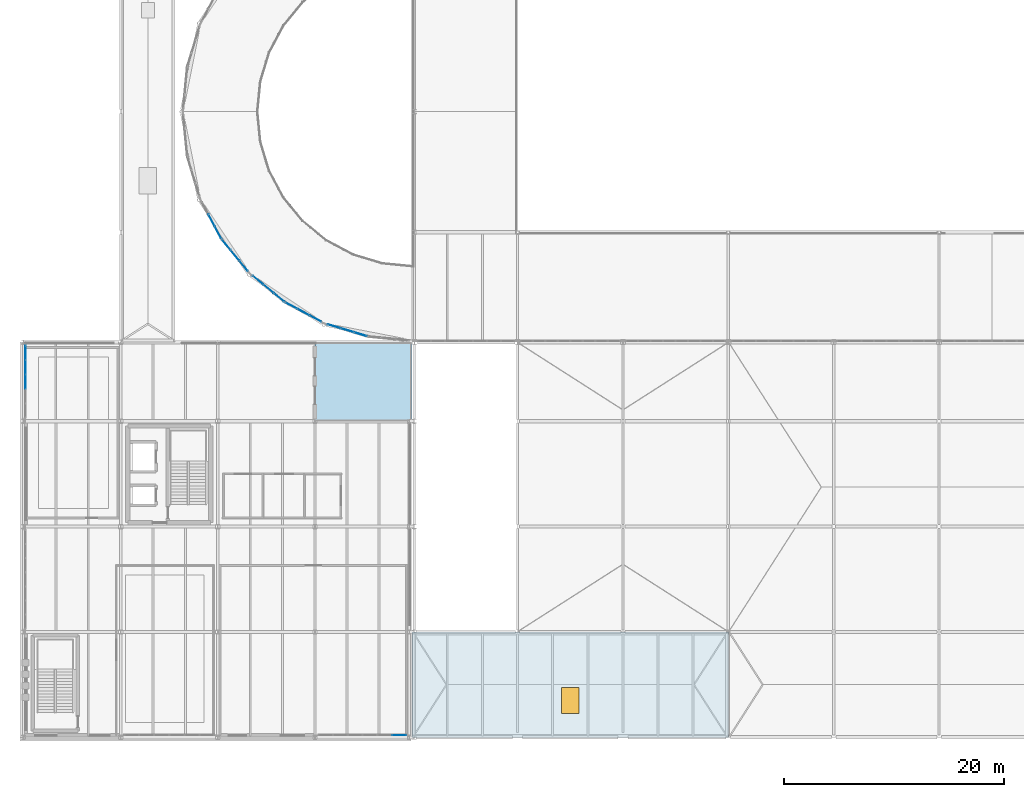
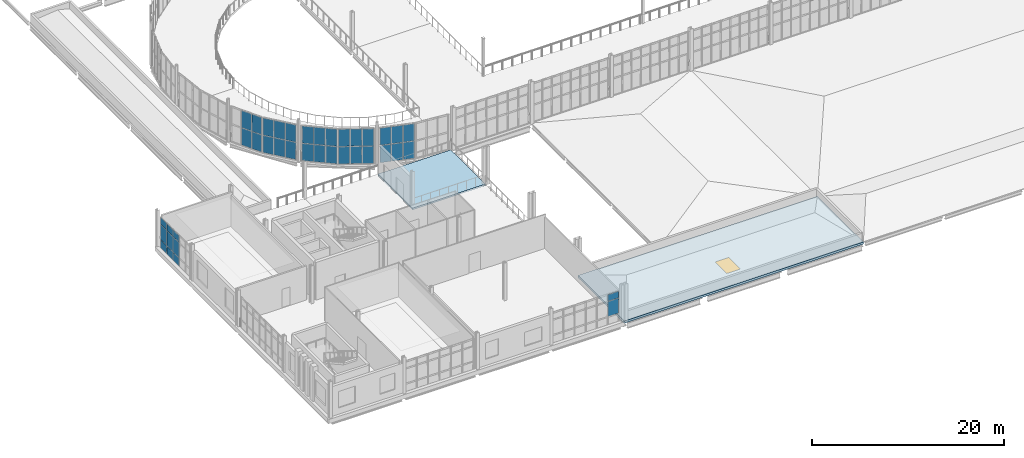
# One storey, part 73 of 112: 39 plates, 2 slabs, 1 window, 1 opening, 7 elements without a shape of their own.
"""IFC4 building model written with IfcOpenShell, lengths in metres."""

import ifcopenshell
import ifcopenshell.guid

model = None  # the IFC model being written
_history = None  # IfcOwnerHistory: only IFC2X3 demands one
_inside = {}  # id of a spatial element -> (the spatial element, [elements in it])
_under = {}  # id of a project, library or spatial element -> (it, [spatial elements below it])
_declared = {}  # id of a project -> (the project, [libraries it declares])
_typed = {}  # id of a type object -> (the type object, [elements of that type])
_made_of = {}  # id of a material, layer set ... -> (it, [elements and type objects made of it])


def new_model(schema):
    """Start an empty IFC model of exactly this schema.

    Asked for "IFC4X3", IfcOpenShell would pick the latest addendum, in which some entities
    have other attributes; the version numbers below select the first issue.
    IFC2X3 requires an IfcOwnerHistory on every rooted entity: one is made here for all.
    """
    global model, _history
    if schema == "IFC4X3":
        model = ifcopenshell.file(schema_version=(4, 3, 0, 0))
    else:
        model = ifcopenshell.file(schema=schema)
    _inside.clear()
    _under.clear()
    _declared.clear()
    _typed.clear()
    _made_of.clear()
    _history = None
    if model.schema == "IFC2X3":
        org = make("IfcOrganization", Name="unknown")
        user = make(
            "IfcPersonAndOrganization",
            ThePerson=make("IfcPerson", FamilyName="unknown"),
            TheOrganization=org,
        )
        app = make(
            "IfcApplication",
            ApplicationDeveloper=org,
            Version="unknown",
            ApplicationFullName="unknown",
            ApplicationIdentifier="unknown",
        )
        _history = make(
            "IfcOwnerHistory",
            OwningUser=user,
            OwningApplication=app,
            ChangeAction="ADDED",
            CreationDate=0,
        )
    return model


def make(cls, **values):
    """One entity of the class cls with the attributes given. An attribute that is None is left unset."""
    return model.create_entity(
        cls, **{name: value for name, value in values.items() if value is not None}
    )


def rooted(cls, **values):
    """An entity with a GlobalId (a new one), such as an element, a storey or a relation."""
    return make(cls, GlobalId=ifcopenshell.guid.new(), OwnerHistory=_history, **values)


def si_unit(unit_type, name, prefix=None):
    """IfcSIUnit, for example si_unit("LENGTHUNIT", "METRE", prefix="MILLI")."""
    return make("IfcSIUnit", UnitType=unit_type, Prefix=prefix, Name=name)


def assignment(units):
    """IfcUnitAssignment: the units of a project."""
    return None if units is None else make("IfcUnitAssignment", Units=units)


def point(xyz):
    """IfcCartesianPoint."""
    return None if xyz is None else make("IfcCartesianPoint", Coordinates=xyz)


def direction(xyz):
    """IfcDirection."""
    return None if xyz is None else make("IfcDirection", DirectionRatios=xyz)


def frame(location, z_axis=None, x_axis=None):
    """IfcAxis2Placement3D, a coordinate frame: its origin and axes. An axis left out is left unset."""
    return make(
        "IfcAxis2Placement3D",
        Location=point(location),
        Axis=direction(z_axis),
        RefDirection=direction(x_axis),
    )


def frame_2d(location, x_axis=None):
    """IfcAxis2Placement2D, a coordinate frame in the plane: its origin and x axis."""
    return make(
        "IfcAxis2Placement2D", Location=point(location), RefDirection=direction(x_axis)
    )


def origin():
    """The frame at (0, 0, 0) with its axes left unset."""
    return frame((0.0, 0.0, 0.0))


def origin_2d():
    """The frame at (0, 0) in the plane with its x axis left unset."""
    return frame_2d((0.0, 0.0))


def place(relative_to, where):
    """IfcLocalPlacement: puts the frame where relative to a parent placement (None: the world)."""
    return make(
        "IfcLocalPlacement", PlacementRelTo=relative_to, RelativePlacement=where
    )


def context(
    kind, dimensions, precision=None, world=None, true_north=None, identifier=None
):
    """IfcGeometricRepresentationContext, for example the 3D "Model" context."""
    return make(
        "IfcGeometricRepresentationContext",
        ContextIdentifier=identifier,
        ContextType=kind,
        CoordinateSpaceDimension=dimensions,
        Precision=precision,
        WorldCoordinateSystem=world,
        TrueNorth=true_north,
    )


def subcontext(parent, identifier, kind, view, scale=None):
    """IfcGeometricRepresentationSubContext, for example "Body" below "Model"."""
    return make(
        "IfcGeometricRepresentationSubContext",
        ContextIdentifier=identifier,
        ContextType=kind,
        ParentContext=parent,
        TargetScale=scale,
        TargetView=view,
    )


def project(units=None, contexts=None):
    """IfcProject with its units and contexts."""
    return rooted(
        "IfcProject",
        Name="project",
        RepresentationContexts=contexts,
        UnitsInContext=assignment(units),
    )


def spatial(cls, under=None, at=None, **own):
    """A site, building, storey or space (cls), placed at a placement, below another one or the project."""
    s = rooted(cls, ObjectPlacement=at, **own)
    if under is not None:
        _under.setdefault(under.id(), (under, []))[1].append(s)
    return s


def polyline(points):
    """IfcPolyline through the points."""
    return make("IfcPolyline", Points=[point(p) for p in points])


def profile(cls, at=None, kind="AREA", **sizes):
    """A parametric profile (cls). Its sizes go by their IFC names, for example OverallWidth=200.0."""
    return make(cls, ProfileType=kind, Position=at, **sizes)


def rectangle(**sizes):
    """IfcRectangleProfileDef."""
    return profile("IfcRectangleProfileDef", **sizes)


def outline(outer, holes=None, kind="AREA"):
    """IfcArbitraryClosedProfileDef: a profile drawn as a closed curve; with holes, ...WithVoids."""
    if holes is None:
        return make("IfcArbitraryClosedProfileDef", ProfileType=kind, OuterCurve=outer)
    return make(
        "IfcArbitraryProfileDefWithVoids",
        ProfileType=kind,
        OuterCurve=outer,
        InnerCurves=holes,
    )


def extrude(swept, where, along, depth):
    """IfcExtrudedAreaSolid: the profile swept, set in the frame where, extruded along a direction by depth."""
    return make(
        "IfcExtrudedAreaSolid",
        SweptArea=swept,
        Position=where,
        ExtrudedDirection=direction(along),
        Depth=depth,
    )


def shape(context_of_items, identifier, shape_type, items):
    """IfcShapeRepresentation: the items that make up one representation, for example the "Body"."""
    return make(
        "IfcShapeRepresentation",
        ContextOfItems=context_of_items,
        RepresentationIdentifier=identifier,
        RepresentationType=shape_type,
        Items=items,
    )


def material(Name=None, Category=None):
    """IfcMaterial."""
    return make("IfcMaterial", Name=Name, Category=Category)


def layer(
    of_material, thickness, ventilated=None, Name=None, Category=None, Priority=None
):
    """IfcMaterialLayer: one layer of a wall or slab, of a material (None: an air gap)."""
    return make(
        "IfcMaterialLayer",
        Material=of_material,
        LayerThickness=thickness,
        IsVentilated=ventilated,
        Name=Name,
        Category=Category,
        Priority=Priority,
    )


def layer_set(layers, Name=None):
    """IfcMaterialLayerSet."""
    return make("IfcMaterialLayerSet", MaterialLayers=layers, LayerSetName=Name)


def made_of(thing, what):
    """Note that an element or type object is made of a material, layer set ...; save() writes the relation."""
    if what is not None:
        _made_of.setdefault(what.id(), (what, []))[1].append(thing)
    return thing


def type_object(cls, material=None, **own):
    """A type object (cls), such as IfcWallType, which elements share."""
    return made_of(rooted(cls, **own), material)


def element(
    cls,
    number,
    at=None,
    inside=None,
    cuts=None,
    type_object=None,
    material=None,
    context=None,
    identifier="Body",
    shape_type=None,
    held_by="IfcProductDefinitionShape",
    body=None,
    shapes=None,
    **own,
):
    """One element of the class cls, such as IfcWall. Its Tag is "e" and its number.

    at: its placement. inside: the storey or other place that contains it. cuts: it is an
    opening in that element (IfcRelVoidsElement). A single representation is given by context,
    identifier, shape_type and body (its items); several are given by shapes. held_by: the class
    of the entity that holds the representations. save() writes the other relations.
    """
    e = rooted(cls, Tag="e%d" % number, ObjectPlacement=at, **own)
    if body is not None:
        shapes = [shape(context, identifier, shape_type, body)]
    if shapes is not None:
        e.Representation = make(held_by, Representations=shapes)
    if inside is not None:
        _inside.setdefault(inside.id(), (inside, []))[1].append(e)
    if cuts is not None:
        rooted(
            "IfcRelVoidsElement", RelatingBuildingElement=cuts, RelatedOpeningElement=e
        )
    if type_object is not None:
        _typed.setdefault(type_object.id(), (type_object, []))[1].append(e)
    return made_of(e, material)


def fill(opening, filler):
    """IfcRelFillsElement: the door or window that sits in an opening."""
    return rooted(
        "IfcRelFillsElement",
        RelatingOpeningElement=opening,
        RelatedBuildingElement=filler,
    )


def aggregate(whole, parts):
    """IfcRelAggregates: a whole, such as a stair, and the parts it consists of."""
    return rooted("IfcRelAggregates", RelatingObject=whole, RelatedObjects=parts)


def save(model, path):
    """Write the relations noted so far, then the file.

    IfcRelAggregates (storeys below a building ...), IfcRelContainedInSpatialStructure (elements
    in a storey), IfcRelDefinesByType, IfcRelAssociatesMaterial and IfcRelDeclares: one each for
    every whole, place, type object, material and project.
    """
    for whole, parts in _under.values():
        aggregate(whole, parts)
    for where, things in _inside.values():
        rooted(
            "IfcRelContainedInSpatialStructure",
            RelatedElements=things,
            RelatingStructure=where,
        )
    for kind, things in _typed.values():
        rooted("IfcRelDefinesByType", RelatedObjects=things, RelatingType=kind)
    for what, things in _made_of.values():
        rooted("IfcRelAssociatesMaterial", RelatedObjects=things, RelatingMaterial=what)
    for by, libraries in _declared.values():
        rooted("IfcRelDeclares", RelatingContext=by, RelatedDefinitions=libraries)
    model.write(path)


model = new_model("IFC4")

# Units and contexts
model_context = context("Model", 3, precision=1e-05, world=origin(), true_north=direction((0.0, 1.0)))
body_context = subcontext(model_context, "Body", "Model", "MODEL_VIEW")
ifc_project = project(units=[si_unit("LENGTHUNIT", "METRE"), si_unit("AREAUNIT", "SQUARE_METRE"), si_unit("VOLUMEUNIT", "CUBIC_METRE"), si_unit("PLANEANGLEUNIT", "RADIAN"), si_unit("MASSUNIT", "GRAM", prefix="KILO")], contexts=[model_context])

# Site, building, storey
site_placement = place(None, origin())
site = spatial("IfcSite", under=ifc_project, at=site_placement, CompositionType="ELEMENT")
building_placement = place(site_placement, origin())
building = spatial("IfcBuilding", under=site, at=building_placement, Name="Yeouljin Market Hall", CompositionType="ELEMENT")
storey_placement = place(building_placement, frame((0.0, 0.0, 6.0)))
storey = spatial("IfcBuildingStorey", under=building, at=storey_placement, Name="L01", CompositionType="ELEMENT", Elevation=6.0)

# Curtain wall, plates
ifc_material_1 = material(Name="Thermally Broken Aluminium", Category="aluminium")
ifc_layer_1 = layer(ifc_material_1, 0.14990234375)
ifc_layer_set_1 = layer_set([ifc_layer_1], Name="Thermally Broken Aluminium")
curtain_wall_type_1 = type_object("IfcCurtainWallType", Name="CW_AcademyRibbon_System", PredefinedType="USERDEFINED", material=ifc_layer_set_1)
curtain_wall_1_placement = place(storey_placement, origin())
curtain_wall_1 = element("IfcCurtainWall", 1, at=curtain_wall_1_placement, inside=storey, type_object=curtain_wall_type_1, Name="Curtain wall CW-L01-W08", ObjectType="CURTAIN WALL", PredefinedType="USERDEFINED")
ifc_material_2 = material(Name="Anodised Bronze Spandrel Panel")
ifc_layer_2 = layer(ifc_material_2, 0.0439453125)
ifc_layer_set_2 = layer_set([ifc_layer_2], Name="Anodised Bronze Spandrel Panel")
plate_type_1 = type_object("IfcPlateType", Name="CWPanel_BronzeSpandrel_44", PredefinedType="CURTAIN_PANEL", material=ifc_layer_set_2)
plate_1_placement = place(storey_placement, frame((0.199951171875, 32.39990234375, 0.0478515625), z_axis=(0.0, 0.0, 1.0), x_axis=(0.0, 1.0, 0.0)))
plate_1 = element("IfcPlate", 2, at=plate_1_placement, type_object=plate_type_1, Name="CW-05 panel 3.1", PredefinedType="CURTAIN_PANEL", context=body_context, shape_type="SweptSolid", body=[
    extrude(rectangle(XDim=1.27197265625, YDim=0.0439453125, at=origin_2d()), origin(), (0.0, 0.0, 1.0), 1.028076171875),
])
plate_2_placement = place(storey_placement, frame((0.199951171875, 32.39990234375, 1.1240234375), z_axis=(0.0, 0.0, 1.0), x_axis=(0.0, 1.0, 0.0)))
plate_2 = element("IfcPlate", 3, at=plate_2_placement, type_object=plate_type_1, Name="CW-05 panel 3.2", PredefinedType="CURTAIN_PANEL", context=body_context, shape_type="SweptSolid", body=[
    extrude(rectangle(XDim=1.27197265625, YDim=0.0439453125, at=origin_2d()), origin(), (0.0, 0.0, 1.0), 1.902099609375),
])
plate_3_placement = place(storey_placement, frame((0.199951171875, 32.39990234375, 3.07421875), z_axis=(0.0, 0.0, 1.0), x_axis=(0.0, 1.0, 0.0)))
plate_3 = element("IfcPlate", 4, at=plate_3_placement, type_object=plate_type_1, Name="CW-05 panel 3.3", PredefinedType="CURTAIN_PANEL", context=body_context, shape_type="SweptSolid", body=[
    extrude(rectangle(XDim=1.27197265625, YDim=0.0439453125, at=origin_2d()), origin(), (0.0, 0.0, 1.0), 0.827880859375),
])
plate_4_placement = place(storey_placement, frame((0.199951171875, 33.719970703125, 0.0478515625), z_axis=(0.0, 0.0, 1.0), x_axis=(0.0, 1.0, 0.0)))
plate_4 = element("IfcPlate", 5, at=plate_4_placement, type_object=plate_type_1, Name="CW-05 panel 4.1", PredefinedType="CURTAIN_PANEL", context=body_context, shape_type="SweptSolid", body=[
    extrude(rectangle(XDim=1.27197265625, YDim=0.0439453125, at=origin_2d()), origin(), (0.0, 0.0, 1.0), 1.028076171875),
])
plate_5_placement = place(storey_placement, frame((0.199951171875, 33.719970703125, 1.1240234375), z_axis=(0.0, 0.0, 1.0), x_axis=(0.0, 1.0, 0.0)))
plate_5 = element("IfcPlate", 6, at=plate_5_placement, type_object=plate_type_1, Name="CW-05 panel 4.2", PredefinedType="CURTAIN_PANEL", context=body_context, shape_type="SweptSolid", body=[
    extrude(rectangle(XDim=1.27197265625, YDim=0.0439453125, at=origin_2d()), origin(), (0.0, 0.0, 1.0), 1.902099609375),
])
plate_6_placement = place(storey_placement, frame((0.199951171875, 33.719970703125, 3.07421875), z_axis=(0.0, 0.0, 1.0), x_axis=(0.0, 1.0, 0.0)))
plate_6 = element("IfcPlate", 7, at=plate_6_placement, type_object=plate_type_1, Name="CW-05 panel 4.3", PredefinedType="CURTAIN_PANEL", context=body_context, shape_type="SweptSolid", body=[
    extrude(rectangle(XDim=1.27197265625, YDim=0.0439453125, at=origin_2d()), origin(), (0.0, 0.0, 1.0), 0.827880859375),
])
plate_7_placement = place(storey_placement, frame((0.199951171875, 35.028076171875, 0.0478515625), z_axis=(0.0, 0.0, 1.0), x_axis=(0.0, 1.0, 0.0)))
plate_7 = element("IfcPlate", 8, at=plate_7_placement, type_object=plate_type_1, Name="CW-05 panel 5.1", PredefinedType="CURTAIN_PANEL", context=body_context, shape_type="SweptSolid", body=[
    extrude(rectangle(XDim=1.248046875, YDim=0.0439453125, at=origin_2d()), origin(), (0.0, 0.0, 1.0), 1.028076171875),
])
plate_8_placement = place(storey_placement, frame((0.199951171875, 35.028076171875, 1.1240234375), z_axis=(0.0, 0.0, 1.0), x_axis=(0.0, 1.0, 0.0)))
plate_8 = element("IfcPlate", 9, at=plate_8_placement, type_object=plate_type_1, Name="CW-05 panel 5.2", PredefinedType="CURTAIN_PANEL", context=body_context, shape_type="SweptSolid", body=[
    extrude(rectangle(XDim=1.248046875, YDim=0.0439453125, at=origin_2d()), origin(), (0.0, 0.0, 1.0), 1.902099609375),
])
plate_9_placement = place(storey_placement, frame((0.199951171875, 35.028076171875, 3.07421875), z_axis=(0.0, 0.0, 1.0), x_axis=(0.0, 1.0, 0.0)))
plate_9 = element("IfcPlate", 10, at=plate_9_placement, type_object=plate_type_1, Name="CW-05 panel 5.3", PredefinedType="CURTAIN_PANEL", context=body_context, shape_type="SweptSolid", body=[
    extrude(rectangle(XDim=1.248046875, YDim=0.0439453125, at=origin_2d()), origin(), (0.0, 0.0, 1.0), 0.827880859375),
])
aggregate(curtain_wall_1, [plate_1, plate_2, plate_3, plate_4, plate_5, plate_6, plate_7, plate_8, plate_9])

ifc_material_3 = material(Name="Thermally Broken Aluminium", Category="aluminium")
ifc_layer_3 = layer(ifc_material_3, 0.179931640625)
ifc_layer_set_3 = layer_set([ifc_layer_3], Name="Thermally Broken Aluminium")
curtain_wall_type_2 = type_object("IfcCurtainWallType", Name="CW_ApseCurved_System", PredefinedType="USERDEFINED", material=ifc_layer_set_3)
curtain_wall_2_placement = place(storey_placement, origin())
curtain_wall_2 = element("IfcCurtainWall", 11, at=curtain_wall_2_placement, inside=storey, type_object=curtain_wall_type_2, Name="Curtain wall CW-AP-WL01-02", ObjectType="CURTAIN WALL", PredefinedType="USERDEFINED")
ifc_material_4 = material(Name="Low-E Insulated Glass", Category="glass")
ifc_layer_4 = layer(ifc_material_4, 0.028076171875)
ifc_layer_set_4 = layer_set([ifc_layer_4], Name="Low-E Insulated Glass")
plate_type_2 = type_object("IfcPlateType", Name="CWPanel_LowE_28", PredefinedType="CURTAIN_PANEL", material=ifc_layer_set_4)
plate_10_placement = place(storey_placement, frame((30.675048828125, 36.71875, 0.0478515625), z_axis=(0.0, 0.0, 1.0), x_axis=(-0.95693988447, 0.290286164863, 0.0)))
plate_10 = element("IfcPlate", 12, at=plate_10_placement, type_object=plate_type_2, Name="CW-03 panel 1.1", PredefinedType="CURTAIN_PANEL", context=body_context, shape_type="SweptSolid", body=[
    extrude(rectangle(XDim=1.185791015625, YDim=0.028076171875, at=origin_2d()), origin(), (0.0, 0.0, 1.0), 2.177978515625),
])
plate_11_placement = place(storey_placement, frame((30.675048828125, 36.71875, 2.27392578125), z_axis=(0.0, 0.0, 1.0), x_axis=(-0.95693988447, 0.290286164863, 0.0)))
plate_11 = element("IfcPlate", 13, at=plate_11_placement, type_object=plate_type_2, Name="CW-03 panel 1.2", PredefinedType="CURTAIN_PANEL", context=body_context, shape_type="SweptSolid", body=[
    extrude(rectangle(XDim=1.185791015625, YDim=0.028076171875, at=origin_2d()), origin(), (0.0, 0.0, 1.0), 2.177978515625),
])
plate_12_placement = place(storey_placement, frame((29.48291015625, 37.08056640625, 0.0478515625), z_axis=(0.0, 0.0, 1.0), x_axis=(-0.95693988447, 0.290286164863, 0.0)))
plate_12 = element("IfcPlate", 14, at=plate_12_placement, type_object=plate_type_2, Name="CW-03 panel 2.1", PredefinedType="CURTAIN_PANEL", context=body_context, shape_type="SweptSolid", body=[
    extrude(rectangle(XDim=1.209716796875, YDim=0.028076171875, at=origin_2d()), origin(), (0.0, 0.0, 1.0), 2.177978515625),
])
plate_13_placement = place(storey_placement, frame((29.48291015625, 37.08056640625, 2.27392578125), z_axis=(0.0, 0.0, 1.0), x_axis=(-0.95693988447, 0.290286164863, 0.0)))
plate_13 = element("IfcPlate", 15, at=plate_13_placement, type_object=plate_type_2, Name="CW-03 panel 2.2", PredefinedType="CURTAIN_PANEL", context=body_context, shape_type="SweptSolid", body=[
    extrude(rectangle(XDim=1.209716796875, YDim=0.028076171875, at=origin_2d()), origin(), (0.0, 0.0, 1.0), 2.177978515625),
])
plate_14_placement = place(storey_placement, frame((28.290771484375, 37.442138671875, 0.0478515625), z_axis=(0.0, 0.0, 1.0), x_axis=(-0.95693988447, 0.290286164863, 0.0)))
plate_14 = element("IfcPlate", 16, at=plate_14_placement, type_object=plate_type_2, Name="CW-03 panel 3.1", PredefinedType="CURTAIN_PANEL", context=body_context, shape_type="SweptSolid", body=[
    extrude(rectangle(XDim=1.185791015625, YDim=0.028076171875, at=origin_2d()), origin(), (0.0, 0.0, 1.0), 2.177978515625),
])
plate_15_placement = place(storey_placement, frame((28.290771484375, 37.442138671875, 2.27392578125), z_axis=(0.0, 0.0, 1.0), x_axis=(-0.95693988447, 0.290286164863, 0.0)))
plate_15 = element("IfcPlate", 17, at=plate_15_placement, type_object=plate_type_2, Name="CW-03 panel 3.2", PredefinedType="CURTAIN_PANEL", context=body_context, shape_type="SweptSolid", body=[
    extrude(rectangle(XDim=1.185791015625, YDim=0.028076171875, at=origin_2d()), origin(), (0.0, 0.0, 1.0), 2.177978515625),
])
aggregate(curtain_wall_2, [plate_10, plate_11, plate_12, plate_13, plate_14, plate_15])

curtain_wall_3_placement = place(storey_placement, origin())
curtain_wall_3 = element("IfcCurtainWall", 18, at=curtain_wall_3_placement, inside=storey, type_object=curtain_wall_type_2, Name="Curtain wall CW-AP-WL01-03", ObjectType="CURTAIN WALL", PredefinedType="USERDEFINED")
plate_16_placement = place(storey_placement, frame((26.597412109375, 38.1435546875, 0.0478515625), z_axis=(0.0, 0.0, 1.0), x_axis=(-0.881931478712, 0.471377626598, 0.0)))
plate_16 = element("IfcPlate", 19, at=plate_16_placement, type_object=plate_type_2, Name="CW-03 panel 1.1", PredefinedType="CURTAIN_PANEL", context=body_context, shape_type="SweptSolid", body=[
    extrude(rectangle(XDim=1.185791015625, YDim=0.028076171875, at=origin_2d()), origin(), (0.0, 0.0, 1.0), 2.177978515625),
])
plate_17_placement = place(storey_placement, frame((26.597412109375, 38.1435546875, 2.27392578125), z_axis=(0.0, 0.0, 1.0), x_axis=(-0.881931478712, 0.471377626598, 0.0)))
plate_17 = element("IfcPlate", 20, at=plate_17_placement, type_object=plate_type_2, Name="CW-03 panel 1.2", PredefinedType="CURTAIN_PANEL", context=body_context, shape_type="SweptSolid", body=[
    extrude(rectangle(XDim=1.185791015625, YDim=0.028076171875, at=origin_2d()), origin(), (0.0, 0.0, 1.0), 2.177978515625),
])
plate_18_placement = place(storey_placement, frame((25.498779296875, 38.730712890625, 0.0478515625), z_axis=(0.0, 0.0, 1.0), x_axis=(-0.881931478712, 0.471377626598, 0.0)))
plate_18 = element("IfcPlate", 21, at=plate_18_placement, type_object=plate_type_2, Name="CW-03 panel 2.1", PredefinedType="CURTAIN_PANEL", context=body_context, shape_type="SweptSolid", body=[
    extrude(rectangle(XDim=1.209716796875, YDim=0.028076171875, at=origin_2d()), origin(), (0.0, 0.0, 1.0), 2.177978515625),
])
plate_19_placement = place(storey_placement, frame((25.498779296875, 38.730712890625, 2.27392578125), z_axis=(0.0, 0.0, 1.0), x_axis=(-0.881931478712, 0.471377626598, 0.0)))
plate_19 = element("IfcPlate", 22, at=plate_19_placement, type_object=plate_type_2, Name="CW-03 panel 2.2", PredefinedType="CURTAIN_PANEL", context=body_context, shape_type="SweptSolid", body=[
    extrude(rectangle(XDim=1.209716796875, YDim=0.028076171875, at=origin_2d()), origin(), (0.0, 0.0, 1.0), 2.177978515625),
])
plate_20_placement = place(storey_placement, frame((24.400146484375, 39.31787109375, 0.0478515625), z_axis=(0.0, 0.0, 1.0), x_axis=(-0.881931478712, 0.471377626598, 0.0)))
plate_20 = element("IfcPlate", 23, at=plate_20_placement, type_object=plate_type_2, Name="CW-03 panel 3.1", PredefinedType="CURTAIN_PANEL", context=body_context, shape_type="SweptSolid", body=[
    extrude(rectangle(XDim=1.185791015625, YDim=0.028076171875, at=origin_2d()), origin(), (0.0, 0.0, 1.0), 2.177978515625),
])
plate_21_placement = place(storey_placement, frame((24.400146484375, 39.31787109375, 2.27392578125), z_axis=(0.0, 0.0, 1.0), x_axis=(-0.881931478712, 0.471377626598, 0.0)))
plate_21 = element("IfcPlate", 24, at=plate_21_placement, type_object=plate_type_2, Name="CW-03 panel 3.2", PredefinedType="CURTAIN_PANEL", context=body_context, shape_type="SweptSolid", body=[
    extrude(rectangle(XDim=1.185791015625, YDim=0.028076171875, at=origin_2d()), origin(), (0.0, 0.0, 1.0), 2.177978515625),
])
aggregate(curtain_wall_3, [plate_16, plate_17, plate_18, plate_19, plate_20, plate_21])

curtain_wall_4_placement = place(storey_placement, origin())
curtain_wall_4 = element("IfcCurtainWall", 25, at=curtain_wall_4_placement, inside=storey, type_object=curtain_wall_type_2, Name="Curtain wall CW-AP-WL01-04", ObjectType="CURTAIN WALL", PredefinedType="USERDEFINED")
plate_22_placement = place(storey_placement, frame((23.2734375, 40.07080078125, 0.0478515625), z_axis=(0.0, 0.0, 1.0), x_axis=(-0.773017717982, 0.634384432096, 0.0)))
plate_22 = element("IfcPlate", 26, at=plate_22_placement, type_object=plate_type_2, Name="CW-03 panel 1.1", PredefinedType="CURTAIN_PANEL", context=body_context, shape_type="SweptSolid", body=[
    extrude(rectangle(XDim=1.185791015625, YDim=0.028076171875, at=origin_2d()), origin(), (0.0, 0.0, 1.0), 2.177978515625),
])
plate_23_placement = place(storey_placement, frame((23.2734375, 40.07080078125, 2.27392578125), z_axis=(0.0, 0.0, 1.0), x_axis=(-0.773017717982, 0.634384432096, 0.0)))
plate_23 = element("IfcPlate", 27, at=plate_23_placement, type_object=plate_type_2, Name="CW-03 panel 1.2", PredefinedType="CURTAIN_PANEL", context=body_context, shape_type="SweptSolid", body=[
    extrude(rectangle(XDim=1.185791015625, YDim=0.028076171875, at=origin_2d()), origin(), (0.0, 0.0, 1.0), 2.177978515625),
])
plate_24_placement = place(storey_placement, frame((22.310302734375, 40.861083984375, 0.0478515625), z_axis=(0.0, 0.0, 1.0), x_axis=(-0.773017717982, 0.634384432096, 0.0)))
plate_24 = element("IfcPlate", 28, at=plate_24_placement, type_object=plate_type_2, Name="CW-03 panel 2.1", PredefinedType="CURTAIN_PANEL", context=body_context, shape_type="SweptSolid", body=[
    extrude(rectangle(XDim=1.209716796875, YDim=0.028076171875, at=origin_2d()), origin(), (0.0, 0.0, 1.0), 2.177978515625),
])
plate_25_placement = place(storey_placement, frame((22.310302734375, 40.861083984375, 2.27392578125), z_axis=(0.0, 0.0, 1.0), x_axis=(-0.773017717982, 0.634384432096, 0.0)))
plate_25 = element("IfcPlate", 29, at=plate_25_placement, type_object=plate_type_2, Name="CW-03 panel 2.2", PredefinedType="CURTAIN_PANEL", context=body_context, shape_type="SweptSolid", body=[
    extrude(rectangle(XDim=1.209716796875, YDim=0.028076171875, at=origin_2d()), origin(), (0.0, 0.0, 1.0), 2.177978515625),
])
plate_26_placement = place(storey_placement, frame((21.347412109375, 41.6513671875, 0.0478515625), z_axis=(0.0, 0.0, 1.0), x_axis=(-0.773017717982, 0.634384432096, 0.0)))
plate_26 = element("IfcPlate", 30, at=plate_26_placement, type_object=plate_type_2, Name="CW-03 panel 3.1", PredefinedType="CURTAIN_PANEL", context=body_context, shape_type="SweptSolid", body=[
    extrude(rectangle(XDim=1.185791015625, YDim=0.028076171875, at=origin_2d()), origin(), (0.0, 0.0, 1.0), 2.177978515625),
])
plate_27_placement = place(storey_placement, frame((21.347412109375, 41.6513671875, 2.27392578125), z_axis=(0.0, 0.0, 1.0), x_axis=(-0.773017717982, 0.634384432096, 0.0)))
plate_27 = element("IfcPlate", 31, at=plate_27_placement, type_object=plate_type_2, Name="CW-03 panel 3.2", PredefinedType="CURTAIN_PANEL", context=body_context, shape_type="SweptSolid", body=[
    extrude(rectangle(XDim=1.185791015625, YDim=0.028076171875, at=origin_2d()), origin(), (0.0, 0.0, 1.0), 2.177978515625),
])
aggregate(curtain_wall_4, [plate_22, plate_23, plate_24, plate_25, plate_26, plate_27])

curtain_wall_5_placement = place(storey_placement, origin())
curtain_wall_5 = element("IfcCurtainWall", 32, at=curtain_wall_5_placement, inside=storey, type_object=curtain_wall_type_2, Name="Curtain wall CW-AP-WL01-05", ObjectType="CURTAIN WALL", PredefinedType="USERDEFINED")
plate_28_placement = place(storey_placement, frame((20.051513671875, 42.947509765625, 0.0478515625), z_axis=(0.0, 0.0, 1.0), x_axis=(-0.634384432096, 0.773017717982, 0.0)))
plate_28 = element("IfcPlate", 33, at=plate_28_placement, type_object=plate_type_2, Name="CW-03 panel 1.1", PredefinedType="CURTAIN_PANEL", context=body_context, shape_type="SweptSolid", body=[
    extrude(rectangle(XDim=1.185791015625, YDim=0.028076171875, at=origin_2d()), origin(), (0.0, 0.0, 1.0), 2.177978515625),
])
plate_29_placement = place(storey_placement, frame((20.051513671875, 42.947509765625, 2.27392578125), z_axis=(0.0, 0.0, 1.0), x_axis=(-0.634384432096, 0.773017717982, 0.0)))
plate_29 = element("IfcPlate", 34, at=plate_29_placement, type_object=plate_type_2, Name="CW-03 panel 1.2", PredefinedType="CURTAIN_PANEL", context=body_context, shape_type="SweptSolid", body=[
    extrude(rectangle(XDim=1.185791015625, YDim=0.028076171875, at=origin_2d()), origin(), (0.0, 0.0, 1.0), 2.177978515625),
])
plate_30_placement = place(storey_placement, frame((19.26123046875, 43.910400390625, 0.0478515625), z_axis=(0.0, 0.0, 1.0), x_axis=(-0.634384432096, 0.773017717982, 0.0)))
plate_30 = element("IfcPlate", 35, at=plate_30_placement, type_object=plate_type_2, Name="CW-03 panel 2.1", PredefinedType="CURTAIN_PANEL", context=body_context, shape_type="SweptSolid", body=[
    extrude(rectangle(XDim=1.209716796875, YDim=0.028076171875, at=origin_2d()), origin(), (0.0, 0.0, 1.0), 2.177978515625),
])
plate_31_placement = place(storey_placement, frame((19.26123046875, 43.910400390625, 2.27392578125), z_axis=(0.0, 0.0, 1.0), x_axis=(-0.634384432096, 0.773017717982, 0.0)))
plate_31 = element("IfcPlate", 36, at=plate_31_placement, type_object=plate_type_2, Name="CW-03 panel 2.2", PredefinedType="CURTAIN_PANEL", context=body_context, shape_type="SweptSolid", body=[
    extrude(rectangle(XDim=1.209716796875, YDim=0.028076171875, at=origin_2d()), origin(), (0.0, 0.0, 1.0), 2.177978515625),
])
plate_32_placement = place(storey_placement, frame((18.470947265625, 44.873291015625, 0.0478515625), z_axis=(0.0, 0.0, 1.0), x_axis=(-0.634384432096, 0.773017717982, 0.0)))
plate_32 = element("IfcPlate", 37, at=plate_32_placement, type_object=plate_type_2, Name="CW-03 panel 3.1", PredefinedType="CURTAIN_PANEL", context=body_context, shape_type="SweptSolid", body=[
    extrude(rectangle(XDim=1.185791015625, YDim=0.028076171875, at=origin_2d()), origin(), (0.0, 0.0, 1.0), 2.177978515625),
])
plate_33_placement = place(storey_placement, frame((18.470947265625, 44.873291015625, 2.27392578125), z_axis=(0.0, 0.0, 1.0), x_axis=(-0.634384432096, 0.773017717982, 0.0)))
plate_33 = element("IfcPlate", 38, at=plate_33_placement, type_object=plate_type_2, Name="CW-03 panel 3.2", PredefinedType="CURTAIN_PANEL", context=body_context, shape_type="SweptSolid", body=[
    extrude(rectangle(XDim=1.185791015625, YDim=0.028076171875, at=origin_2d()), origin(), (0.0, 0.0, 1.0), 2.177978515625),
])
aggregate(curtain_wall_5, [plate_28, plate_29, plate_30, plate_31, plate_32, plate_33])

curtain_wall_6_placement = place(storey_placement, origin())
curtain_wall_6 = element("IfcCurtainWall", 39, at=curtain_wall_6_placement, inside=storey, type_object=curtain_wall_type_2, Name="Curtain wall CW-AP-WL01-06", ObjectType="CURTAIN WALL", PredefinedType="USERDEFINED")
plate_34_placement = place(storey_placement, frame((17.718017578125, 46.000244140625, 0.0478515625), z_axis=(0.0, 0.0, 1.0), x_axis=(-0.471377626598, 0.881931478712, 0.0)))
plate_34 = element("IfcPlate", 40, at=plate_34_placement, type_object=plate_type_2, Name="CW-03 panel 1.1", PredefinedType="CURTAIN_PANEL", context=body_context, shape_type="SweptSolid", body=[
    extrude(rectangle(XDim=1.185791015625, YDim=0.028076171875, at=origin_2d()), origin(), (0.0, 0.0, 1.0), 2.177978515625),
])
plate_35_placement = place(storey_placement, frame((17.718017578125, 46.000244140625, 2.27392578125), z_axis=(0.0, 0.0, 1.0), x_axis=(-0.471377626598, 0.881931478712, 0.0)))
plate_35 = element("IfcPlate", 41, at=plate_35_placement, type_object=plate_type_2, Name="CW-03 panel 1.2", PredefinedType="CURTAIN_PANEL", context=body_context, shape_type="SweptSolid", body=[
    extrude(rectangle(XDim=1.185791015625, YDim=0.028076171875, at=origin_2d()), origin(), (0.0, 0.0, 1.0), 2.177978515625),
])
plate_36_placement = place(storey_placement, frame((17.130615234375, 47.098876953125, 0.0478515625), z_axis=(0.0, 0.0, 1.0), x_axis=(-0.471377626598, 0.881931478712, 0.0)))
plate_36 = element("IfcPlate", 42, at=plate_36_placement, type_object=plate_type_2, Name="CW-03 panel 2.1", PredefinedType="CURTAIN_PANEL", context=body_context, shape_type="SweptSolid", body=[
    extrude(rectangle(XDim=1.209716796875, YDim=0.028076171875, at=origin_2d()), origin(), (0.0, 0.0, 1.0), 2.177978515625),
])
plate_37_placement = place(storey_placement, frame((17.130615234375, 47.098876953125, 2.27392578125), z_axis=(0.0, 0.0, 1.0), x_axis=(-0.471377626598, 0.881931478712, 0.0)))
plate_37 = element("IfcPlate", 43, at=plate_37_placement, type_object=plate_type_2, Name="CW-03 panel 2.2", PredefinedType="CURTAIN_PANEL", context=body_context, shape_type="SweptSolid", body=[
    extrude(rectangle(XDim=1.209716796875, YDim=0.028076171875, at=origin_2d()), origin(), (0.0, 0.0, 1.0), 2.177978515625),
])
aggregate(curtain_wall_6, [plate_34, plate_35, plate_36, plate_37])

curtain_wall_7_placement = place(storey_placement, origin())
curtain_wall_7 = element("IfcCurtainWall", 44, at=curtain_wall_7_placement, inside=storey, type_object=curtain_wall_type_1, Name="Curtain wall CW-L01-W01", ObjectType="CURTAIN WALL", PredefinedType="USERDEFINED")
plate_38_placement = place(storey_placement, frame((34.21728515625, 0.199951171875, 1.1240234375), z_axis=(0.0, 0.0, 1.0), x_axis=(-1.0, 0.0, 0.0)))
plate_38 = element("IfcPlate", 45, at=plate_38_placement, type_object=plate_type_2, Name="CW-05 panel 1.2", PredefinedType="CURTAIN_PANEL", context=body_context, shape_type="SweptSolid", body=[
    extrude(rectangle(XDim=1.269775390625, YDim=0.028076171875, at=origin_2d()), origin(), (0.0, 0.0, 1.0), 1.902099609375),
])
plate_39_placement = place(storey_placement, frame((34.21728515625, 0.199951171875, 3.07421875), z_axis=(0.0, 0.0, 1.0), x_axis=(-1.0, 0.0, 0.0)))
plate_39 = element("IfcPlate", 46, at=plate_39_placement, type_object=plate_type_2, Name="CW-05 panel 1.3", PredefinedType="CURTAIN_PANEL", context=body_context, shape_type="SweptSolid", body=[
    extrude(rectangle(XDim=1.269775390625, YDim=0.028076171875, at=origin_2d()), origin(), (0.0, 0.0, 1.0), 0.827880859375),
])
aggregate(curtain_wall_7, [plate_38, plate_39])

# Slab, opening, window
ifc_material_5 = material(Name="Concrete C30/37", Category="concrete")
ifc_layer_5 = layer(ifc_material_5, 0.2900390625)
ifc_layer_set_5 = layer_set([ifc_layer_5], Name="Concrete C30/37")
slab_type_1 = type_object("IfcSlabType", Name="SLB_ROOF_225", PredefinedType="ROOF", material=ifc_layer_set_5)
slab_1_placement = place(storey_placement, frame((0.0, 0.0, -0.280029296875)))
slab_1 = element("IfcSlab", 47, at=slab_1_placement, inside=storey, type_object=slab_type_1, Name="Wing structural roof slab RSLB-V5-W", PredefinedType="ROOF", context=body_context, shape_type="SweptSolid", body=[
    extrude(outline(polyline([(35.39990234375, 0.0), (64.199951171875, 0.0), (64.199951171875, 9.60009765625), (35.39990234375, 9.60009765625), (35.39990234375, 0.0)])), origin(), (0.0, 0.0, 1.0), 0.2900390625),
])
opening_placement = place(slab_1_placement, frame((49.800048828125, 3.360107421875, 0.0)))
opening = element("IfcOpeningElement", 48, at=opening_placement, cuts=slab_1, Name="Opening SK-01", PredefinedType="OPENING", context=body_context, shape_type="SweptSolid", body=[
    extrude(rectangle(XDim=1.60009765625, YDim=2.39990234375, at=origin_2d()), origin(), (0.0, 0.0, 1.0), 0.2900390625),
])
ifc_material_6 = material(Name="Low-E Insulated Glass", Category="glass")
window_type = type_object("IfcWindowType", Name="Skylight_1600x2400", PartitioningType="SINGLE_PANEL", PredefinedType="SKYLIGHT", material=ifc_material_6)
window_placement = place(opening_placement, frame((0.0, 0.0, 0.239990234375)))
window = element("IfcWindow", 49, at=window_placement, inside=storey, type_object=window_type, Name="Roof skylight 01", OverallHeight=2.39990234375, OverallWidth=1.60009765625, PartitioningType="SINGLE_PANEL", PredefinedType="SKYLIGHT", context=body_context, shape_type="SweptSolid", body=[
    extrude(rectangle(XDim=1.60009765625, YDim=2.39990234375, at=origin_2d()), origin(), (0.0, 0.0, 1.0), 0.050048828125),
])
fill(opening, window)

# Slab
ifc_material_7 = material(Name="Concrete C30/37", Category="concrete")
ifc_layer_6 = layer(ifc_material_7, 0.199951171875)
ifc_layer_set_6 = layer_set([ifc_layer_6], Name="Concrete C30/37")
slab_type_2 = type_object("IfcSlabType", Name="SLB_TERR_200", PredefinedType="FLOOR", material=ifc_layer_set_6)
slab_2_placement = place(storey_placement, frame((0.0, 0.0, -0.199951171875)))
element("IfcSlab", 50, at=slab_2_placement, inside=storey, type_object=slab_type_2, Name="Structural slab SLB-L01-TRW", PredefinedType="FLOOR", context=body_context, shape_type="SweptSolid", body=[
    extrude(outline(polyline([(26.550048828125, 28.800048828125), (35.320068359375, 28.800048828125), (35.320068359375, 36.0), (26.550048828125, 36.0), (26.550048828125, 28.800048828125)])), origin(), (0.0, 0.0, 1.0), 0.199951171875),
])

save(model, "model.ifc")
